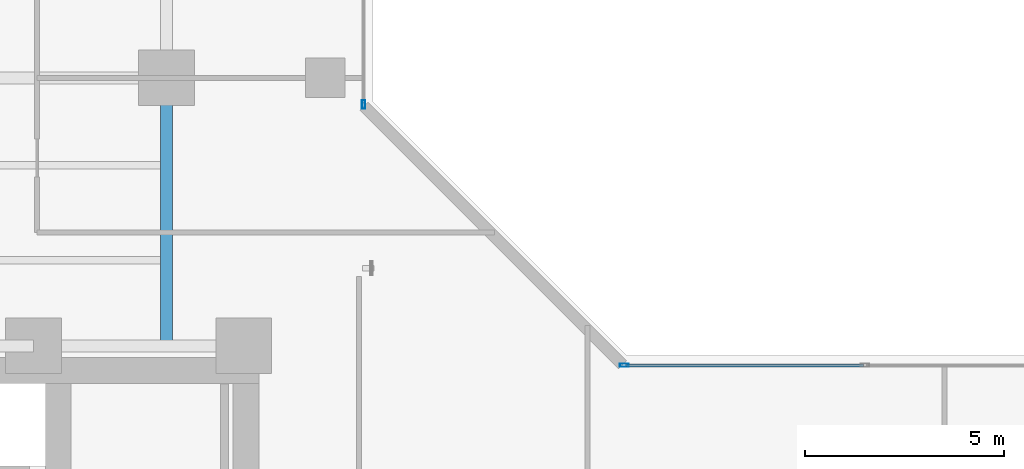
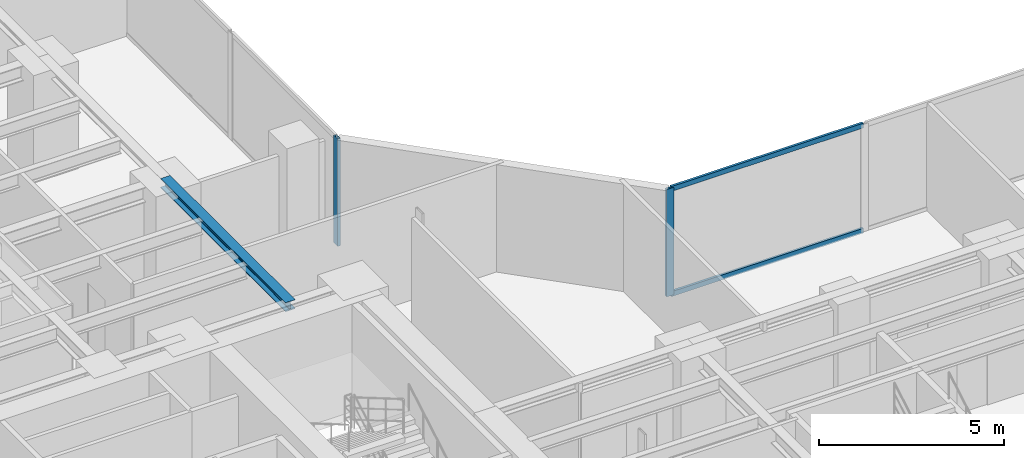
# One storey, part 8 of 26: 4 members, 1 beam, 2 elements without a shape of their own.
"""IFC4 building model written with IfcOpenShell, lengths in metres."""

from ifc_helpers import new_model, si_unit, direction, frame, origin, origin_with_axes, origin_2d, place, context, subcontext, project, spatial, hollow_rectangle, i_section, extrude, source, transform, mapped, material, layer, layer_set, material_profile, profile_set, type_object, element, aggregate, save


model = new_model("IFC4")

# Units and contexts
model_context = context("Model", 3, precision=1e-05, world=origin(), true_north=direction((0.0, 1.0)))
body_context = subcontext(model_context, "Body", "Model", "MODEL_VIEW")
ifc_project = project(units=[si_unit("LENGTHUNIT", "METRE"), si_unit("AREAUNIT", "SQUARE_METRE"), si_unit("VOLUMEUNIT", "CUBIC_METRE"), si_unit("PLANEANGLEUNIT", "RADIAN"), si_unit("MASSUNIT", "GRAM", prefix="KILO")], contexts=[model_context])

# Site, building, storey
site_placement = place(None, origin())
site = spatial("IfcSite", under=ifc_project, at=site_placement, CompositionType="ELEMENT")
building_placement = place(site_placement, origin())
building = spatial("IfcBuilding", under=site, at=building_placement, Name="Kolvaren Waterfront Exchange", CompositionType="ELEMENT")
storey_placement = place(building_placement, frame((0.0, 0.0, 87.89990234375)))
storey = spatial("IfcBuildingStorey", under=building, at=storey_placement, Name="L22", CompositionType="ELEMENT", Elevation=87.89990234375)

# Beam
ifc_material_1 = material(Name="Steel S355", Category="steel")
ifc_material_profile_1 = material_profile(ifc_material_1, i_section(OverallWidth=0.300048828125, OverallDepth=0.300048828125, WebThickness=0.010986328125, FlangeThickness=0.01904296875, FilletRadius=0.027099609375, at=origin_2d()), Name="HEB300")
ifc_profile_set_1 = profile_set([ifc_material_profile_1], Name="Steel S355")
beam_type = type_object("IfcBeamType", Name="STR-BM-HEB300", PredefinedType="SPANDREL", material=ifc_profile_set_1)
beam_placement = place(storey_placement, frame((18.800048828125, 24.449951171875, 3.39013671875), z_axis=(0.0, 1.0, 0.0), x_axis=(-1.0, 0.0, 0.0)))
element("IfcBeam", 1, at=beam_placement, inside=storey, type_object=beam_type, Name="L22 north-arm edge beam 1", PredefinedType="SPANDREL", context=body_context, shape_type="SweptSolid", body=[
    extrude(i_section(OverallWidth=0.300048828125, OverallDepth=0.300048828125, WebThickness=0.010986328125, FlangeThickness=0.01904296875, FilletRadius=0.027099609375, at=origin_2d()), origin(), (0.0, 0.0, 1.0), 6.75),
])

# Curtain wall, member
ifc_material_2 = material(Name="Anodised bronze aluminium 6063-T6", Category="aluminium")
ifc_layer = layer(ifc_material_2, 0.219970703125, Name="Anodised bronze aluminium 6063-T6")
ifc_layer_set = layer_set([ifc_layer], Name="Anodised bronze aluminium 6063-T6")
curtain_wall_type = type_object("IfcCurtainWallType", Name="ARC-CW-SYS1", PredefinedType="USERDEFINED", material=ifc_layer_set)
curtain_wall_1_placement = place(storey_placement, origin())
curtain_wall_1 = element("IfcCurtainWall", 2, at=curtain_wall_1_placement, inside=storey, type_object=curtain_wall_type, Name="L22 stick curtain wall CW1 (CW-L22-NE)", ObjectType="STICK CURTAIN WALL", PredefinedType="USERDEFINED")
ifc_material_3 = material(Name="Anodised aluminium 6063-T6", Category="aluminium")
ifc_material_profile_2 = material_profile(ifc_material_3, hollow_rectangle(XDim=0.080078125, YDim=0.219970703125, WallThickness=0.0048828125, at=origin_2d()), Name="ALU-MUL-220x80x5")
ifc_profile_set_2 = profile_set([ifc_material_profile_2], Name="Anodised aluminium 6063-T6")
member_type_1 = type_object("IfcMemberType", Name="ARC-CWM-220", PredefinedType="MULLION", material=ifc_profile_set_2)
shared_shape_1 = source(origin_with_axes(), body_context, "Body", "SweptSolid", [
    extrude(hollow_rectangle(XDim=0.080078125, YDim=0.219970703125, WallThickness=0.0048828125, at=origin_2d()), origin(), (0.0, 0.0, 1.0), 3.5400390625),
])
member_1_placement = place(storey_placement, frame((23.760009765625, 30.530029296875, 0.0), z_axis=(0.0, 0.0, 1.0), x_axis=(-1.0, 0.0, 0.0)))
member_1 = element("IfcMember", 3, at=member_1_placement, type_object=member_type_1, Name="CW1 mullion 1", PredefinedType="MULLION", context=body_context, shape_type="MappedRepresentation", body=[
    mapped(shared_shape_1, transform((0.0, 0.0, 0.0), x_axis=(1.0, 0.0, 0.0), y_axis=(0.0, 1.0, 0.0), z_axis=(0.0, 0.0, 1.0), scale=1.0)),
])
aggregate(curtain_wall_1, [member_1])

# Curtain wall, members
curtain_wall_2_placement = place(storey_placement, origin())
curtain_wall_2 = element("IfcCurtainWall", 4, at=curtain_wall_2_placement, inside=storey, type_object=curtain_wall_type, Name="L22 stick curtain wall CW1 (CW-L22-EN)", ObjectType="STICK CURTAIN WALL", PredefinedType="USERDEFINED")
member_2_placement = place(storey_placement, frame((30.330078125, 23.9599609375, 0.0), z_axis=(0.0, 0.0, 1.0), x_axis=(0.0, 1.0, 0.0)))
member_2 = element("IfcMember", 5, at=member_2_placement, type_object=member_type_1, Name="CW1 mullion 1", PredefinedType="MULLION", context=body_context, shape_type="MappedRepresentation", body=[
    mapped(shared_shape_1, transform((0.0, 0.0, 0.0), x_axis=(1.0, 0.0, 0.0), y_axis=(0.0, 1.0, 0.0), z_axis=(0.0, 0.0, 1.0), scale=1.0)),
])
ifc_material_profile_3 = material_profile(ifc_material_3, hollow_rectangle(XDim=0.074951171875, YDim=0.159912109375, WallThickness=0.00439453125, at=origin_2d()), Name="ALU-TRN-160x75x4.5")
ifc_profile_set_3 = profile_set([ifc_material_profile_3], Name="Anodised aluminium 6063-T6")
member_type_2 = type_object("IfcMemberType", Name="ARC-CWT-160", PredefinedType="USERDEFINED", material=ifc_profile_set_3)
shared_shape_2 = source(origin_with_axes(), body_context, "Body", "SweptSolid", [
    extrude(hollow_rectangle(XDim=0.074951171875, YDim=0.159912109375, WallThickness=0.00439453125, at=origin_2d()), origin(), (0.0, 0.0, 1.0), 5.982421875),
])
member_3_placement = place(storey_placement, frame((30.3701171875, 23.9599609375, 0.03759765625), z_axis=(1.0, 0.0, 0.0), x_axis=(0.0, 1.0, 0.0)))
member_3 = element("IfcMember", 6, at=member_3_placement, type_object=member_type_2, Name="CW1 transom 1.1", ObjectType="TRANSOM", PredefinedType="USERDEFINED", context=body_context, shape_type="MappedRepresentation", body=[
    mapped(shared_shape_2, transform((0.0, 0.0, 0.0), x_axis=(1.0, 0.0, 0.0), y_axis=(0.0, 1.0, 0.0), z_axis=(0.0, 0.0, 1.0), scale=1.0)),
])
member_4_placement = place(storey_placement, frame((30.3701171875, 23.9599609375, 3.502685546875), z_axis=(1.0, 0.0, 0.0), x_axis=(0.0, 1.0, 0.0)))
member_4 = element("IfcMember", 7, at=member_4_placement, type_object=member_type_2, Name="CW1 transom 1.2", ObjectType="TRANSOM", PredefinedType="USERDEFINED", context=body_context, shape_type="MappedRepresentation", body=[
    mapped(shared_shape_2, transform((0.0, 0.0, 0.0), x_axis=(1.0, 0.0, 0.0), y_axis=(0.0, 1.0, 0.0), z_axis=(0.0, 0.0, 1.0), scale=1.0)),
])
aggregate(curtain_wall_2, [member_2, member_3, member_4])

save(model, "model.ifc")
